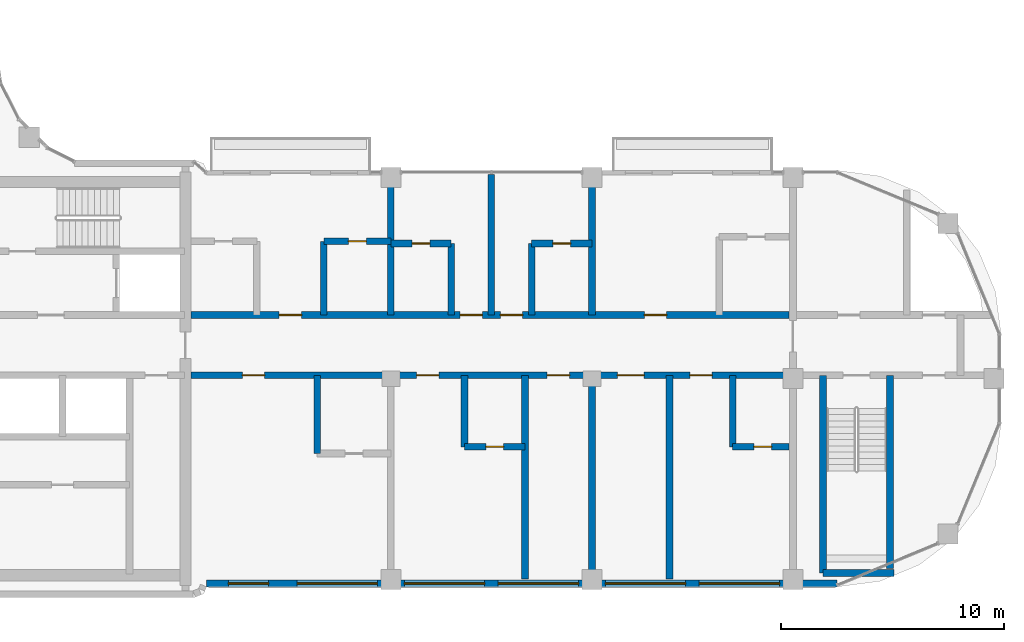
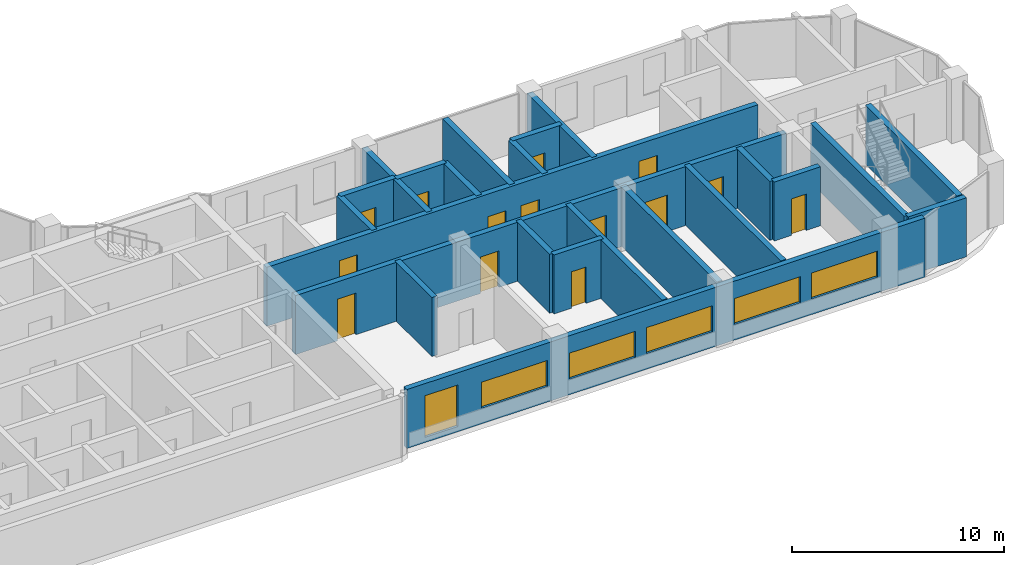
# One storey, part 12 of 19: 23 walls, 14 doors, 6 windows, 20 openings.
"""IFC4 building model written with IfcOpenShell, lengths in metres."""

from ifc_helpers import new_model, si_unit, direction, frame, frame_2d, origin, place, context, subcontext, project, spatial, rectangle, extrude, material, layer, layer_set, type_object, element, fill, save


model = new_model("IFC4")

# Units and contexts
model_context = context("Model", 3, precision=1e-05, world=origin(), true_north=direction((0.0, 1.0)))
body_context = subcontext(model_context, "Body", "Model", "MODEL_VIEW")
ifc_project = project(units=[si_unit("LENGTHUNIT", "METRE"), si_unit("AREAUNIT", "SQUARE_METRE"), si_unit("VOLUMEUNIT", "CUBIC_METRE"), si_unit("PLANEANGLEUNIT", "RADIAN"), si_unit("MASSUNIT", "GRAM", prefix="KILO")], contexts=[model_context])

# Site, building, storey
site_placement = place(None, origin())
site = spatial("IfcSite", under=ifc_project, at=site_placement, CompositionType="ELEMENT")
building_placement = place(site_placement, origin())
building = spatial("IfcBuilding", under=site, at=building_placement, Name="Ogive Portal Towers", CompositionType="ELEMENT")
storey_placement = place(building_placement, frame((0.0, 0.0, 218.0)))
storey = spatial("IfcBuildingStorey", under=building, at=storey_placement, Name="L54", CompositionType="ELEMENT", Elevation=218.0)

# Wall, openings, windows
ifc_material_1 = material(Name="Limestone cladding on lightweight block wall", Category="masonry")
ifc_layer_1 = layer(ifc_material_1, 0.300048828125)
ifc_layer_set_1 = layer_set([ifc_layer_1], Name="EXTERNAL WALL 300 STONE")
wall_type_1 = type_object("IfcWallType", Name="EXTERNAL WALL 300 STONE", PredefinedType="SOLIDWALL", material=ifc_layer_set_1)
wall_1_placement = place(storey_placement, frame((59.250244140625, 21.330078125, 0.0), z_axis=(0.0, 0.0, 1.0), x_axis=(1.0, 0.0, 0.0)))
wall_1 = element("IfcWall", 1, at=wall_1_placement, inside=storey, type_object=wall_type_1, Name="A:L54:f20:r0:wall", PredefinedType="SOLIDWALL", context=body_context, shape_type="SweptSolid", body=[
    extrude(rectangle(XDim=28.23388671875, YDim=0.300048828125, at=frame_2d((14.116943359375, 0.0))), origin(), (0.0, 0.0, 1.0), 3.39990234375),
])
opening_1_placement = place(wall_1_placement, frame((0.974853515625, 0.0, 0.300048828125)))
opening_1 = element("IfcOpeningElement", 2, at=opening_1_placement, cuts=wall_1, Name="Opening WN10", PredefinedType="OPENING", context=body_context, shape_type="SweptSolid", body=[
    extrude(rectangle(XDim=1.800048828125, YDim=2.39990234375, at=frame_2d((0.89990234375, 1.199951171875))), frame((0.0, 0.16015625, 0.0), z_axis=(0.0, -1.0, 0.0), x_axis=(1.0, 0.0, 0.0)), (0.0, 0.0, 1.0), 0.320068359375),
])
opening_2_placement = place(wall_1_placement, frame((4.0498046875, 0.0, 0.89990234375)))
opening_2 = element("IfcOpeningElement", 3, at=opening_2_placement, cuts=wall_1, Name="Opening WN12", PredefinedType="OPENING", context=body_context, shape_type="SweptSolid", body=[
    extrude(rectangle(XDim=3.60009765625, YDim=1.5, at=frame_2d((1.800048828125, 0.75))), frame((0.0, 0.16015625, 0.0), z_axis=(0.0, -1.0, 0.0), x_axis=(1.0, 0.0, 0.0)), (0.0, 0.0, 1.0), 0.320068359375),
])
opening_3_placement = place(wall_1_placement, frame((8.849609375, 0.0, 0.89990234375)))
opening_3 = element("IfcOpeningElement", 4, at=opening_3_placement, cuts=wall_1, Name="Opening WN12", PredefinedType="OPENING", context=body_context, shape_type="SweptSolid", body=[
    extrude(rectangle(XDim=3.60009765625, YDim=1.5, at=frame_2d((1.800048828125, 0.75))), frame((0.0, 0.16015625, 0.0), z_axis=(0.0, -1.0, 0.0), x_axis=(1.0, 0.0, 0.0)), (0.0, 0.0, 1.0), 0.320068359375),
])
opening_4_placement = place(wall_1_placement, frame((13.0498046875, 0.0, 0.89990234375)))
opening_4 = element("IfcOpeningElement", 5, at=opening_4_placement, cuts=wall_1, Name="Opening WN12", PredefinedType="OPENING", context=body_context, shape_type="SweptSolid", body=[
    extrude(rectangle(XDim=3.60009765625, YDim=1.5, at=frame_2d((1.800048828125, 0.75))), frame((0.0, 0.16015625, 0.0), z_axis=(0.0, -1.0, 0.0), x_axis=(1.0, 0.0, 0.0)), (0.0, 0.0, 1.0), 0.320068359375),
])
opening_5_placement = place(wall_1_placement, frame((17.849609375, 0.0, 0.89990234375)))
opening_5 = element("IfcOpeningElement", 6, at=opening_5_placement, cuts=wall_1, Name="Opening WN12", PredefinedType="OPENING", context=body_context, shape_type="SweptSolid", body=[
    extrude(rectangle(XDim=3.60009765625, YDim=1.5, at=frame_2d((1.800048828125, 0.75))), frame((0.0, 0.16015625, 0.0), z_axis=(0.0, -1.0, 0.0), x_axis=(1.0, 0.0, 0.0)), (0.0, 0.0, 1.0), 0.320068359375),
])
opening_6_placement = place(wall_1_placement, frame((22.0498046875, 0.0, 0.89990234375)))
opening_6 = element("IfcOpeningElement", 7, at=opening_6_placement, cuts=wall_1, Name="Opening WN12", PredefinedType="OPENING", context=body_context, shape_type="SweptSolid", body=[
    extrude(rectangle(XDim=3.60009765625, YDim=1.5, at=frame_2d((1.800048828125, 0.75))), frame((0.0, 0.16015625, 0.0), z_axis=(0.0, -1.0, 0.0), x_axis=(1.0, 0.0, 0.0)), (0.0, 0.0, 1.0), 0.320068359375),
])
ifc_material_2 = material(Name="Glass, clear low-iron insulated glazing", Category="glass")
window_type_1 = type_object("IfcWindowType", Name="WINDOW RIBBON 3600x1500", PartitioningType="TRIPLE_PANEL_VERTICAL", PredefinedType="WINDOW", material=ifc_material_2)
window_1_placement = place(opening_2_placement, origin())
window_1 = element("IfcWindow", 8, at=window_1_placement, inside=storey, type_object=window_type_1, Name="A:L54:f20:r0:w1", OverallHeight=1.5, OverallWidth=3.60009765625, PartitioningType="SINGLE_PANEL", PredefinedType="WINDOW", context=body_context, shape_type="SweptSolid", body=[
    extrude(rectangle(XDim=3.60009765625, YDim=1.5, at=frame_2d((1.800048828125, 0.75))), frame((0.0, 0.030029296875, 0.0), z_axis=(0.0, -1.0, 0.0), x_axis=(1.0, 0.0, 0.0)), (0.0, 0.0, 1.0), 0.06005859375),
])
fill(opening_2, window_1)
window_2_placement = place(opening_3_placement, origin())
window_2 = element("IfcWindow", 9, at=window_2_placement, inside=storey, type_object=window_type_1, Name="A:L54:f20:r0:w2", OverallHeight=1.5, OverallWidth=3.60009765625, PartitioningType="SINGLE_PANEL", PredefinedType="WINDOW", context=body_context, shape_type="SweptSolid", body=[
    extrude(rectangle(XDim=3.60009765625, YDim=1.5, at=frame_2d((1.800048828125, 0.75))), frame((0.0, 0.030029296875, 0.0), z_axis=(0.0, -1.0, 0.0), x_axis=(1.0, 0.0, 0.0)), (0.0, 0.0, 1.0), 0.06005859375),
])
fill(opening_3, window_2)
window_3_placement = place(opening_4_placement, origin())
window_3 = element("IfcWindow", 10, at=window_3_placement, inside=storey, type_object=window_type_1, Name="A:L54:f20:r0:w3", OverallHeight=1.5, OverallWidth=3.60009765625, PartitioningType="SINGLE_PANEL", PredefinedType="WINDOW", context=body_context, shape_type="SweptSolid", body=[
    extrude(rectangle(XDim=3.60009765625, YDim=1.5, at=frame_2d((1.800048828125, 0.75))), frame((0.0, 0.030029296875, 0.0), z_axis=(0.0, -1.0, 0.0), x_axis=(1.0, 0.0, 0.0)), (0.0, 0.0, 1.0), 0.06005859375),
])
fill(opening_4, window_3)
window_4_placement = place(opening_5_placement, origin())
window_4 = element("IfcWindow", 11, at=window_4_placement, inside=storey, type_object=window_type_1, Name="A:L54:f20:r0:w4", OverallHeight=1.5, OverallWidth=3.60009765625, PartitioningType="SINGLE_PANEL", PredefinedType="WINDOW", context=body_context, shape_type="SweptSolid", body=[
    extrude(rectangle(XDim=3.60009765625, YDim=1.5, at=frame_2d((1.800048828125, 0.75))), frame((0.0, 0.030029296875, 0.0), z_axis=(0.0, -1.0, 0.0), x_axis=(1.0, 0.0, 0.0)), (0.0, 0.0, 1.0), 0.06005859375),
])
fill(opening_5, window_4)
window_5_placement = place(opening_6_placement, origin())
window_5 = element("IfcWindow", 12, at=window_5_placement, inside=storey, type_object=window_type_1, Name="A:L54:f20:r0:w5", OverallHeight=1.5, OverallWidth=3.60009765625, PartitioningType="SINGLE_PANEL", PredefinedType="WINDOW", context=body_context, shape_type="SweptSolid", body=[
    extrude(rectangle(XDim=3.60009765625, YDim=1.5, at=frame_2d((1.800048828125, 0.75))), frame((0.0, 0.030029296875, 0.0), z_axis=(0.0, -1.0, 0.0), x_axis=(1.0, 0.0, 0.0)), (0.0, 0.0, 1.0), 0.06005859375),
])
fill(opening_6, window_5)
window_type_2 = type_object("IfcWindowType", Name="WINDOW SUITE CORNER 1800x2400", PartitioningType="DOUBLE_PANEL_VERTICAL", PredefinedType="WINDOW", material=ifc_material_2)
window_6_placement = place(opening_1_placement, origin())
window_6 = element("IfcWindow", 13, at=window_6_placement, inside=storey, type_object=window_type_2, Name="A:L54:f20:r0:w0", OverallHeight=2.39990234375, OverallWidth=1.800048828125, PartitioningType="SINGLE_PANEL", PredefinedType="WINDOW", context=body_context, shape_type="SweptSolid", body=[
    extrude(rectangle(XDim=1.800048828125, YDim=2.39990234375, at=frame_2d((0.89990234375, 1.199951171875))), frame((0.0, 0.030029296875, 0.0), z_axis=(0.0, -1.0, 0.0), x_axis=(1.0, 0.0, 0.0)), (0.0, 0.0, 1.0), 0.06005859375),
])
fill(opening_1, window_6)

# Walls
ifc_material_3 = material(Name="Concrete C50/60", Category="concrete")
ifc_layer_2 = layer(ifc_material_3, 0.300048828125)
ifc_layer_set_2 = layer_set([ifc_layer_2], Name="STAIR WALL 300 C50")
wall_type_2 = type_object("IfcWallType", Name="STAIR WALL 300 C50", PredefinedType="SHEAR", material=ifc_layer_set_2)
wall_2_placement = place(storey_placement, frame((86.85009765625, 21.800048828125, 0.0), z_axis=(0.0, 0.0, 1.0), x_axis=(1.0, 0.0, 0.0)))
element("IfcWall", 14, at=wall_2_placement, inside=storey, type_object=wall_type_2, Name="Stair wall ST-A4 L54", PredefinedType="SHEAR", context=body_context, shape_type="SweptSolid", body=[
    extrude(rectangle(XDim=3.16796875, YDim=0.300048828125, at=frame_2d((1.583984375, 0.0))), origin(), (0.0, 0.0, 1.0), 3.39990234375),
])
wall_3_placement = place(storey_placement, frame((86.85009765625, 21.800048828125, 0.0), z_axis=(0.0, 0.0, 1.0), x_axis=(0.0, 1.0, 0.0)))
element("IfcWall", 15, at=wall_3_placement, inside=storey, type_object=wall_type_2, Name="Stair wall ST-A4 L54", PredefinedType="SHEAR", context=body_context, shape_type="SweptSolid", body=[
    extrude(rectangle(XDim=8.849853515625, YDim=0.300048828125, at=frame_2d((4.4248046875, 0.0))), origin(), (0.0, 0.0, 1.0), 3.39990234375),
])
wall_4_placement = place(storey_placement, frame((89.85009765625, 21.9970703125, 0.0), z_axis=(0.0, 0.0, 1.0), x_axis=(0.0, 1.0, 0.0)))
element("IfcWall", 16, at=wall_4_placement, inside=storey, type_object=wall_type_2, Name="Stair wall ST-A4 L54", PredefinedType="SHEAR", context=body_context, shape_type="SweptSolid", body=[
    extrude(rectangle(XDim=8.65283203125, YDim=0.300048828125, at=frame_2d((4.326416015625, 0.0))), origin(), (0.0, 0.0, 1.0), 3.39990234375),
])

# Wall, openings, doors
ifc_material_4 = material(Name="Gypsum board partition on steel studs", Category="steel")
ifc_layer_3 = layer(ifc_material_4, 0.300048828125)
ifc_layer_set_3 = layer_set([ifc_layer_3], Name="WT-PART-300-EI 120")
wall_type_3 = type_object("IfcWallType", Name="WT-PART-300-EI 120", PredefinedType="PARTITIONING", material=ifc_layer_set_3)
wall_5_placement = place(storey_placement, frame((58.550048828125, 30.64990234375, 0.0), z_axis=(0.0, 0.0, 1.0), x_axis=(1.0, 0.0, 0.0)))
wall_5 = element("IfcWall", 17, at=wall_5_placement, inside=storey, type_object=wall_type_3, Name="Wall L54:w005", PredefinedType="PARTITIONING", context=body_context, shape_type="SweptSolid", body=[
    extrude(rectangle(XDim=26.780029296875, YDim=0.300048828125, at=frame_2d((13.39013671875, 0.0))), origin(), (0.0, 0.0, 1.0), 3.39990234375),
])
opening_7_placement = place(wall_5_placement, frame((2.300048828125, 0.0, 0.0)))
opening_7 = element("IfcOpeningElement", 18, at=opening_7_placement, cuts=wall_5, Name="Opening D24-029", PredefinedType="OPENING", context=body_context, shape_type="SweptSolid", body=[
    extrude(rectangle(XDim=1.0, YDim=2.39990234375, at=frame_2d((0.5, 1.199951171875))), frame((0.0, 0.16015625, 0.0), z_axis=(0.0, -1.0, 0.0), x_axis=(1.0, 0.0, 0.0)), (0.0, 0.0, 1.0), 0.320068359375),
])
opening_8_placement = place(wall_5_placement, frame((10.10009765625, 0.0, 0.0)))
opening_8 = element("IfcOpeningElement", 19, at=opening_8_placement, cuts=wall_5, Name="Opening D24-035", PredefinedType="OPENING", context=body_context, shape_type="SweptSolid", body=[
    extrude(rectangle(XDim=1.0, YDim=2.10009765625, at=frame_2d((0.5, 1.050048828125))), frame((0.0, 0.16015625, 0.0), z_axis=(0.0, -1.0, 0.0), x_axis=(1.0, 0.0, 0.0)), (0.0, 0.0, 1.0), 0.320068359375),
])
opening_9_placement = place(wall_5_placement, frame((15.949951171875, 0.0, 0.0)))
opening_9 = element("IfcOpeningElement", 20, at=opening_9_placement, cuts=wall_5, Name="Opening D24-036", PredefinedType="OPENING", context=body_context, shape_type="SweptSolid", body=[
    extrude(rectangle(XDim=1.0, YDim=2.10009765625, at=frame_2d((0.5, 1.050048828125))), frame((0.0, 0.16015625, 0.0), z_axis=(0.0, -1.0, 0.0), x_axis=(1.0, 0.0, 0.0)), (0.0, 0.0, 1.0), 0.320068359375),
])
opening_10_placement = place(wall_5_placement, frame((19.0849609375, 0.0, 0.0)))
opening_10 = element("IfcOpeningElement", 21, at=opening_10_placement, cuts=wall_5, Name="Opening D24-039", PredefinedType="OPENING", context=body_context, shape_type="SweptSolid", body=[
    extrude(rectangle(XDim=1.199951171875, YDim=2.10009765625, at=frame_2d((0.60009765625, 1.050048828125))), frame((0.0, 0.16015625, 0.0), z_axis=(0.0, -1.0, 0.0), x_axis=(1.0, 0.0, 0.0)), (0.0, 0.0, 1.0), 0.320068359375),
])
opening_11_placement = place(wall_5_placement, frame((22.3349609375, 0.0, 0.0)))
opening_11 = element("IfcOpeningElement", 22, at=opening_11_placement, cuts=wall_5, Name="Opening D24-041", PredefinedType="OPENING", context=body_context, shape_type="SweptSolid", body=[
    extrude(rectangle(XDim=1.0, YDim=2.10009765625, at=frame_2d((0.5, 1.050048828125))), frame((0.0, 0.16015625, 0.0), z_axis=(0.0, -1.0, 0.0), x_axis=(1.0, 0.0, 0.0)), (0.0, 0.0, 1.0), 0.320068359375),
])
ifc_material_5 = material(Name="Steel fire door", Category="steel")
door_type_1 = type_object("IfcDoorType", Name="DT-ENTRY-1000x2100-FD90S", OperationType="SINGLE_SWING_LEFT", PredefinedType="DOOR", material=ifc_material_5)
door_1_placement = place(opening_8_placement, origin())
door_1 = element("IfcDoor", 23, at=door_1_placement, inside=storey, type_object=door_type_1, Name="Door D24-035", OperationType="SINGLE_SWING_LEFT", OverallHeight=2.10009765625, OverallWidth=1.0, PredefinedType="DOOR", context=body_context, shape_type="SweptSolid", body=[
    extrude(rectangle(XDim=1.0, YDim=2.10009765625, at=frame_2d((0.5, 1.050048828125))), frame((0.0, 0.02490234375, 0.0), z_axis=(0.0, -1.0, 0.0), x_axis=(1.0, 0.0, 0.0)), (0.0, 0.0, 1.0), 0.050048828125),
])
fill(opening_8, door_1)
door_2_placement = place(opening_9_placement, origin())
door_2 = element("IfcDoor", 24, at=door_2_placement, inside=storey, type_object=door_type_1, Name="Door D24-036", OperationType="SINGLE_SWING_RIGHT", OverallHeight=2.10009765625, OverallWidth=1.0, PredefinedType="DOOR", context=body_context, shape_type="SweptSolid", body=[
    extrude(rectangle(XDim=1.0, YDim=2.10009765625, at=frame_2d((0.5, 1.050048828125))), frame((0.0, 0.02490234375, 0.0), z_axis=(0.0, -1.0, 0.0), x_axis=(1.0, 0.0, 0.0)), (0.0, 0.0, 1.0), 0.050048828125),
])
fill(opening_9, door_2)
door_3_placement = place(opening_11_placement, origin())
door_3 = element("IfcDoor", 25, at=door_3_placement, inside=storey, type_object=door_type_1, Name="Door D24-041", OperationType="SINGLE_SWING_LEFT", OverallHeight=2.10009765625, OverallWidth=1.0, PredefinedType="DOOR", context=body_context, shape_type="SweptSolid", body=[
    extrude(rectangle(XDim=1.0, YDim=2.10009765625, at=frame_2d((0.5, 1.050048828125))), frame((0.0, 0.02490234375, 0.0), z_axis=(0.0, -1.0, 0.0), x_axis=(1.0, 0.0, 0.0)), (0.0, 0.0, 1.0), 0.050048828125),
])
fill(opening_11, door_3)
door_type_2 = type_object("IfcDoorType", Name="DT-ENTRY-1000x2400-FD90S", OperationType="SINGLE_SWING_LEFT", PredefinedType="DOOR", material=ifc_material_5)
door_4_placement = place(opening_7_placement, origin())
door_4 = element("IfcDoor", 26, at=door_4_placement, inside=storey, type_object=door_type_2, Name="Door D24-029", OperationType="SINGLE_SWING_LEFT", OverallHeight=2.39990234375, OverallWidth=1.0, PredefinedType="DOOR", context=body_context, shape_type="SweptSolid", body=[
    extrude(rectangle(XDim=1.0, YDim=2.39990234375, at=frame_2d((0.5, 1.199951171875))), frame((0.0, 0.02490234375, 0.0), z_axis=(0.0, -1.0, 0.0), x_axis=(1.0, 0.0, 0.0)), (0.0, 0.0, 1.0), 0.050048828125),
])
fill(opening_7, door_4)
door_type_3 = type_object("IfcDoorType", Name="DT-ENTRY-1200x2100-FD90S", OperationType="SINGLE_SWING_LEFT", PredefinedType="DOOR", material=ifc_material_5)
door_5_placement = place(opening_10_placement, origin())
door_5 = element("IfcDoor", 27, at=door_5_placement, inside=storey, type_object=door_type_3, Name="Door D24-039", OperationType="SINGLE_SWING_RIGHT", OverallHeight=2.10009765625, OverallWidth=1.199951171875, PredefinedType="DOOR", context=body_context, shape_type="SweptSolid", body=[
    extrude(rectangle(XDim=1.199951171875, YDim=2.10009765625, at=frame_2d((0.60009765625, 1.050048828125))), frame((0.0, 0.02490234375, 0.0), z_axis=(0.0, -1.0, 0.0), x_axis=(1.0, 0.0, 0.0)), (0.0, 0.0, 1.0), 0.050048828125),
])
fill(opening_10, door_5)

wall_6_placement = place(storey_placement, frame((58.550048828125, 33.35009765625, 0.0), z_axis=(0.0, 0.0, 1.0), x_axis=(1.0, 0.0, 0.0)))
wall_6 = element("IfcWall", 28, at=wall_6_placement, inside=storey, type_object=wall_type_3, Name="Wall L54:w007", PredefinedType="PARTITIONING", context=body_context, shape_type="SweptSolid", body=[
    extrude(rectangle(XDim=26.780029296875, YDim=0.300048828125, at=frame_2d((13.39013671875, 0.0))), origin(), (0.0, 0.0, 1.0), 3.39990234375),
])
opening_12_placement = place(wall_6_placement, frame((3.949951171875, 0.0, 0.0)))
opening_12 = element("IfcOpeningElement", 29, at=opening_12_placement, cuts=wall_6, Name="Opening D24-027", PredefinedType="OPENING", context=body_context, shape_type="SweptSolid", body=[
    extrude(rectangle(XDim=1.0, YDim=2.39990234375, at=frame_2d((0.5, 1.199951171875))), frame((0.0, 0.16015625, 0.0), z_axis=(0.0, -1.0, 0.0), x_axis=(1.0, 0.0, 0.0)), (0.0, 0.0, 1.0), 0.320068359375),
])
opening_13_placement = place(wall_6_placement, frame((12.050048828125, 0.0, 0.0)))
opening_13 = element("IfcOpeningElement", 30, at=opening_13_placement, cuts=wall_6, Name="Opening D24-031", PredefinedType="OPENING", context=body_context, shape_type="SweptSolid", body=[
    extrude(rectangle(XDim=1.0, YDim=2.10009765625, at=frame_2d((0.5, 1.050048828125))), frame((0.0, 0.16015625, 0.0), z_axis=(0.0, -1.0, 0.0), x_axis=(1.0, 0.0, 0.0)), (0.0, 0.0, 1.0), 0.320068359375),
])
opening_14_placement = place(wall_6_placement, frame((13.85009765625, 0.0, 0.0)))
opening_14 = element("IfcOpeningElement", 31, at=opening_14_placement, cuts=wall_6, Name="Opening D24-033", PredefinedType="OPENING", context=body_context, shape_type="SweptSolid", body=[
    extrude(rectangle(XDim=1.0, YDim=2.10009765625, at=frame_2d((0.5, 1.050048828125))), frame((0.0, 0.16015625, 0.0), z_axis=(0.0, -1.0, 0.0), x_axis=(1.0, 0.0, 0.0)), (0.0, 0.0, 1.0), 0.320068359375),
])
opening_15_placement = place(wall_6_placement, frame((20.300048828125, 0.0, 0.0)))
opening_15 = element("IfcOpeningElement", 32, at=opening_15_placement, cuts=wall_6, Name="Opening D24-038", PredefinedType="OPENING", context=body_context, shape_type="SweptSolid", body=[
    extrude(rectangle(XDim=1.0, YDim=2.39990234375, at=frame_2d((0.5, 1.199951171875))), frame((0.0, 0.16015625, 0.0), z_axis=(0.0, -1.0, 0.0), x_axis=(1.0, 0.0, 0.0)), (0.0, 0.0, 1.0), 0.320068359375),
])
door_6_placement = place(opening_13_placement, origin())
door_6 = element("IfcDoor", 33, at=door_6_placement, inside=storey, type_object=door_type_1, Name="Door D24-031", OperationType="SINGLE_SWING_RIGHT", OverallHeight=2.10009765625, OverallWidth=1.0, PredefinedType="DOOR", context=body_context, shape_type="SweptSolid", body=[
    extrude(rectangle(XDim=1.0, YDim=2.10009765625, at=frame_2d((0.5, 1.050048828125))), frame((0.0, 0.02490234375, 0.0), z_axis=(0.0, -1.0, 0.0), x_axis=(1.0, 0.0, 0.0)), (0.0, 0.0, 1.0), 0.050048828125),
])
fill(opening_13, door_6)
door_7_placement = place(opening_14_placement, origin())
door_7 = element("IfcDoor", 34, at=door_7_placement, inside=storey, type_object=door_type_1, Name="Door D24-033", OperationType="SINGLE_SWING_LEFT", OverallHeight=2.10009765625, OverallWidth=1.0, PredefinedType="DOOR", context=body_context, shape_type="SweptSolid", body=[
    extrude(rectangle(XDim=1.0, YDim=2.10009765625, at=frame_2d((0.5, 1.050048828125))), frame((0.0, 0.02490234375, 0.0), z_axis=(0.0, -1.0, 0.0), x_axis=(1.0, 0.0, 0.0)), (0.0, 0.0, 1.0), 0.050048828125),
])
fill(opening_14, door_7)
door_8_placement = place(opening_12_placement, origin())
door_8 = element("IfcDoor", 35, at=door_8_placement, inside=storey, type_object=door_type_2, Name="Door D24-027", OperationType="SINGLE_SWING_LEFT", OverallHeight=2.39990234375, OverallWidth=1.0, PredefinedType="DOOR", context=body_context, shape_type="SweptSolid", body=[
    extrude(rectangle(XDim=1.0, YDim=2.39990234375, at=frame_2d((0.5, 1.199951171875))), frame((0.0, 0.02490234375, 0.0), z_axis=(0.0, -1.0, 0.0), x_axis=(1.0, 0.0, 0.0)), (0.0, 0.0, 1.0), 0.050048828125),
])
fill(opening_12, door_8)
door_9_placement = place(opening_15_placement, origin())
door_9 = element("IfcDoor", 36, at=door_9_placement, inside=storey, type_object=door_type_2, Name="Door D24-038", OperationType="SINGLE_SWING_LEFT", OverallHeight=2.39990234375, OverallWidth=1.0, PredefinedType="DOOR", context=body_context, shape_type="SweptSolid", body=[
    extrude(rectangle(XDim=1.0, YDim=2.39990234375, at=frame_2d((0.5, 1.199951171875))), frame((0.0, 0.02490234375, 0.0), z_axis=(0.0, -1.0, 0.0), x_axis=(1.0, 0.0, 0.0)), (0.0, 0.0, 1.0), 0.050048828125),
])
fill(opening_15, door_9)

# Wall, opening, door
ifc_layer_4 = layer(ifc_material_4, 0.300048828125)
ifc_layer_set_4 = layer_set([ifc_layer_4], Name="WT-PART-300-EI 60")
wall_type_4 = type_object("IfcWallType", Name="WT-PART-300-EI 60", PredefinedType="PARTITIONING", material=ifc_layer_set_4)
wall_7_placement = place(storey_placement, frame((70.800048828125, 27.449951171875, 0.0), z_axis=(0.0, 0.0, 1.0), x_axis=(1.0, 0.0, 0.0)))
wall_7 = element("IfcWall", 37, at=wall_7_placement, inside=storey, type_object=wall_type_4, Name="Wall L54:w003", PredefinedType="PARTITIONING", context=body_context, shape_type="SweptSolid", body=[
    extrude(rectangle(XDim=2.699951171875, YDim=0.300048828125, at=frame_2d((1.35009765625, 0.0))), origin(), (0.0, 0.0, 1.0), 3.39990234375),
])
opening_16_placement = place(wall_7_placement, frame((0.949951171875, 0.0, 0.0)))
opening_16 = element("IfcOpeningElement", 38, at=opening_16_placement, cuts=wall_7, Name="Opening D24-034", PredefinedType="OPENING", context=body_context, shape_type="SweptSolid", body=[
    extrude(rectangle(XDim=0.800048828125, YDim=2.10009765625, at=frame_2d((0.39990234375, 1.050048828125))), frame((0.0, 0.16015625, 0.0), z_axis=(0.0, -1.0, 0.0), x_axis=(1.0, 0.0, 0.0)), (0.0, 0.0, 1.0), 0.320068359375),
])
door_type_4 = type_object("IfcDoorType", Name="DT-BATH-800x2100-FD60S", OperationType="SINGLE_SWING_LEFT", PredefinedType="DOOR", material=ifc_material_5)
door_10_placement = place(opening_16_placement, origin())
door_10 = element("IfcDoor", 39, at=door_10_placement, inside=storey, type_object=door_type_4, Name="Door D24-034", OperationType="SINGLE_SWING_LEFT", OverallHeight=2.10009765625, OverallWidth=0.800048828125, PredefinedType="DOOR", context=body_context, shape_type="SweptSolid", body=[
    extrude(rectangle(XDim=0.800048828125, YDim=2.10009765625, at=frame_2d((0.39990234375, 1.050048828125))), frame((0.0, 0.02490234375, 0.0), z_axis=(0.0, -1.0, 0.0), x_axis=(1.0, 0.0, 0.0)), (0.0, 0.0, 1.0), 0.050048828125),
])
fill(opening_16, door_10)

wall_8_placement = place(storey_placement, frame((82.800048828125, 27.449951171875, 0.0), z_axis=(0.0, 0.0, 1.0), x_axis=(1.0, 0.0, 0.0)))
wall_8 = element("IfcWall", 40, at=wall_8_placement, inside=storey, type_object=wall_type_4, Name="Wall L54:w004", PredefinedType="PARTITIONING", context=body_context, shape_type="SweptSolid", body=[
    extrude(rectangle(XDim=2.530029296875, YDim=0.300048828125, at=frame_2d((1.26513671875, 0.0))), origin(), (0.0, 0.0, 1.0), 3.39990234375),
])
opening_17_placement = place(wall_8_placement, frame((0.949951171875, 0.0, 0.0)))
opening_17 = element("IfcOpeningElement", 41, at=opening_17_placement, cuts=wall_8, Name="Opening D24-040", PredefinedType="OPENING", context=body_context, shape_type="SweptSolid", body=[
    extrude(rectangle(XDim=0.800048828125, YDim=2.10009765625, at=frame_2d((0.39990234375, 1.050048828125))), frame((0.0, 0.16015625, 0.0), z_axis=(0.0, -1.0, 0.0), x_axis=(1.0, 0.0, 0.0)), (0.0, 0.0, 1.0), 0.320068359375),
])
door_11_placement = place(opening_17_placement, origin())
door_11 = element("IfcDoor", 42, at=door_11_placement, inside=storey, type_object=door_type_4, Name="Door D24-040", OperationType="SINGLE_SWING_LEFT", OverallHeight=2.10009765625, OverallWidth=0.800048828125, PredefinedType="DOOR", context=body_context, shape_type="SweptSolid", body=[
    extrude(rectangle(XDim=0.800048828125, YDim=2.10009765625, at=frame_2d((0.39990234375, 1.050048828125))), frame((0.0, 0.02490234375, 0.0), z_axis=(0.0, -1.0, 0.0), x_axis=(1.0, 0.0, 0.0)), (0.0, 0.0, 1.0), 0.050048828125),
])
fill(opening_17, door_11)

wall_9_placement = place(storey_placement, frame((67.5, 36.550048828125, 0.0), z_axis=(0.0, 0.0, 1.0), x_axis=(1.0, 0.0, 0.0)))
wall_9 = element("IfcWall", 43, at=wall_9_placement, inside=storey, type_object=wall_type_4, Name="Wall L54:w009", PredefinedType="PARTITIONING", context=body_context, shape_type="SweptSolid", body=[
    extrude(rectangle(XDim=2.699951171875, YDim=0.300048828125, at=frame_2d((1.35009765625, 0.0))), origin(), (0.0, 0.0, 1.0), 3.39990234375),
])
opening_18_placement = place(wall_9_placement, frame((0.949951171875, 0.0, 0.0)))
opening_18 = element("IfcOpeningElement", 44, at=opening_18_placement, cuts=wall_9, Name="Opening D24-030", PredefinedType="OPENING", context=body_context, shape_type="SweptSolid", body=[
    extrude(rectangle(XDim=0.800048828125, YDim=2.10009765625, at=frame_2d((0.39990234375, 1.050048828125))), frame((0.0, 0.16015625, 0.0), z_axis=(0.0, -1.0, 0.0), x_axis=(1.0, 0.0, 0.0)), (0.0, 0.0, 1.0), 0.320068359375),
])
door_12_placement = place(opening_18_placement, origin())
door_12 = element("IfcDoor", 45, at=door_12_placement, inside=storey, type_object=door_type_4, Name="Door D24-030", OperationType="SINGLE_SWING_LEFT", OverallHeight=2.10009765625, OverallWidth=0.800048828125, PredefinedType="DOOR", context=body_context, shape_type="SweptSolid", body=[
    extrude(rectangle(XDim=0.800048828125, YDim=2.10009765625, at=frame_2d((0.39990234375, 1.050048828125))), frame((0.0, 0.02490234375, 0.0), z_axis=(0.0, -1.0, 0.0), x_axis=(1.0, 0.0, 0.0)), (0.0, 0.0, 1.0), 0.050048828125),
])
fill(opening_18, door_12)

wall_10_placement = place(storey_placement, frame((73.800048828125, 36.550048828125, 0.0), z_axis=(0.0, 0.0, 1.0), x_axis=(1.0, 0.0, 0.0)))
wall_10 = element("IfcWall", 46, at=wall_10_placement, inside=storey, type_object=wall_type_4, Name="Wall L54:w010", PredefinedType="PARTITIONING", context=body_context, shape_type="SweptSolid", body=[
    extrude(rectangle(XDim=2.699951171875, YDim=0.300048828125, at=frame_2d((1.35009765625, 0.0))), origin(), (0.0, 0.0, 1.0), 3.39990234375),
])
opening_19_placement = place(wall_10_placement, frame((0.949951171875, 0.0, 0.0)))
opening_19 = element("IfcOpeningElement", 47, at=opening_19_placement, cuts=wall_10, Name="Opening D24-032", PredefinedType="OPENING", context=body_context, shape_type="SweptSolid", body=[
    extrude(rectangle(XDim=0.800048828125, YDim=2.10009765625, at=frame_2d((0.39990234375, 1.050048828125))), frame((0.0, 0.16015625, 0.0), z_axis=(0.0, -1.0, 0.0), x_axis=(1.0, 0.0, 0.0)), (0.0, 0.0, 1.0), 0.320068359375),
])
door_13_placement = place(opening_19_placement, origin())
door_13 = element("IfcDoor", 48, at=door_13_placement, inside=storey, type_object=door_type_4, Name="Door D24-032", OperationType="SINGLE_SWING_RIGHT", OverallHeight=2.10009765625, OverallWidth=0.800048828125, PredefinedType="DOOR", context=body_context, shape_type="SweptSolid", body=[
    extrude(rectangle(XDim=0.800048828125, YDim=2.10009765625, at=frame_2d((0.39990234375, 1.050048828125))), frame((0.0, 0.02490234375, 0.0), z_axis=(0.0, -1.0, 0.0), x_axis=(1.0, 0.0, 0.0)), (0.0, 0.0, 1.0), 0.050048828125),
])
fill(opening_19, door_13)

wall_11_placement = place(storey_placement, frame((64.5, 36.64990234375, 0.0), z_axis=(0.0, 0.0, 1.0), x_axis=(1.0, 0.0, 0.0)))
wall_11 = element("IfcWall", 49, at=wall_11_placement, inside=storey, type_object=wall_type_4, Name="Wall L54:w012", PredefinedType="PARTITIONING", context=body_context, shape_type="SweptSolid", body=[
    extrude(rectangle(XDim=3.0, YDim=0.300048828125, at=frame_2d((1.5, 0.0))), origin(), (0.0, 0.0, 1.0), 3.39990234375),
])
opening_20_placement = place(wall_11_placement, frame((1.10009765625, 0.0, 0.0)))
opening_20 = element("IfcOpeningElement", 50, at=opening_20_placement, cuts=wall_11, Name="Opening D24-026", PredefinedType="OPENING", context=body_context, shape_type="SweptSolid", body=[
    extrude(rectangle(XDim=0.800048828125, YDim=2.10009765625, at=frame_2d((0.39990234375, 1.050048828125))), frame((0.0, 0.16015625, 0.0), z_axis=(0.0, -1.0, 0.0), x_axis=(1.0, 0.0, 0.0)), (0.0, 0.0, 1.0), 0.320068359375),
])
door_14_placement = place(opening_20_placement, origin())
door_14 = element("IfcDoor", 51, at=door_14_placement, inside=storey, type_object=door_type_4, Name="Door D24-026", OperationType="SINGLE_SWING_RIGHT", OverallHeight=2.10009765625, OverallWidth=0.800048828125, PredefinedType="DOOR", context=body_context, shape_type="SweptSolid", body=[
    extrude(rectangle(XDim=0.800048828125, YDim=2.10009765625, at=frame_2d((0.39990234375, 1.050048828125))), frame((0.0, 0.02490234375, 0.0), z_axis=(0.0, -1.0, 0.0), x_axis=(1.0, 0.0, 0.0)), (0.0, 0.0, 1.0), 0.050048828125),
])
fill(opening_20, door_14)

# Walls
wall_12_placement = place(storey_placement, frame((64.199951171875, 27.14990234375, 0.0), z_axis=(0.0, 0.0, 1.0), x_axis=(0.0, 1.0, 0.0)))
element("IfcWall", 52, at=wall_12_placement, inside=storey, type_object=wall_type_4, Name="Wall L54:w029", PredefinedType="PARTITIONING", context=body_context, shape_type="SweptSolid", body=[
    extrude(rectangle(XDim=3.5, YDim=0.300048828125, at=frame_2d((1.75, 0.0))), origin(), (0.0, 0.0, 1.0), 3.39990234375),
])
wall_13_placement = place(storey_placement, frame((64.5, 33.35009765625, 0.0), z_axis=(0.0, 0.0, 1.0), x_axis=(0.0, 1.0, 0.0)))
element("IfcWall", 53, at=wall_13_placement, inside=storey, type_object=wall_type_4, Name="Wall L54:w030", PredefinedType="PARTITIONING", context=body_context, shape_type="SweptSolid", body=[
    extrude(rectangle(XDim=3.2998046875, YDim=0.300048828125, at=frame_2d((1.64990234375, 0.0))), origin(), (0.0, 0.0, 1.0), 3.39990234375),
])
wall_14_placement = place(storey_placement, frame((67.5, 33.35009765625, 0.0), z_axis=(0.0, 0.0, 1.0), x_axis=(0.0, 1.0, 0.0)))
element("IfcWall", 54, at=wall_14_placement, inside=storey, type_object=wall_type_4, Name="Wall L54:w032", PredefinedType="PARTITIONING", context=body_context, shape_type="SweptSolid", body=[
    extrude(rectangle(XDim=6.119873046875, YDim=0.300048828125, at=frame_2d((3.06005859375, 0.0))), origin(), (0.0, 0.0, 1.0), 3.39990234375),
])
for number, where, z_axis, x_axis, name in (
    (55, (70.199951171875, 33.35009765625, 0.0), (0.0, 0.0, 1.0), (0.0, 1.0, 0.0), "Wall L54:w033"),
    (56, (70.800048828125, 27.449951171875, 0.0), (0.0, 0.0, 1.0), (0.0, 1.0, 0.0), "Wall L54:w034"),
):
    element("IfcWall", number, at=place(storey_placement, frame(where, z_axis=z_axis, x_axis=x_axis)), inside=storey, type_object=wall_type_4, Name=name, PredefinedType="PARTITIONING", context=body_context, shape_type="SweptSolid", body=[
        extrude(rectangle(XDim=3.199951171875, YDim=0.300048828125, at=frame_2d((1.60009765625, 0.0))), origin(), (0.0, 0.0, 1.0), 3.39990234375),
    ])
wall_15_placement = place(storey_placement, frame((72.0, 33.35009765625, 0.0), z_axis=(0.0, 0.0, 1.0), x_axis=(0.0, 1.0, 0.0)))
element("IfcWall", 57, at=wall_15_placement, inside=storey, type_object=wall_type_4, Name="Wall L54:w035", PredefinedType="PARTITIONING", context=body_context, shape_type="SweptSolid", body=[
    extrude(rectangle(XDim=6.2998046875, YDim=0.300048828125, at=frame_2d((3.14990234375, 0.0))), origin(), (0.0, 0.0, 1.0), 3.39990234375),
])
wall_16_placement = place(storey_placement, frame((73.5, 21.530029296875, 0.0), z_axis=(0.0, 0.0, 1.0), x_axis=(0.0, 1.0, 0.0)))
element("IfcWall", 58, at=wall_16_placement, inside=storey, type_object=wall_type_4, Name="Wall L54:w036", PredefinedType="PARTITIONING", context=body_context, shape_type="SweptSolid", body=[
    extrude(rectangle(XDim=9.119873046875, YDim=0.300048828125, at=frame_2d((4.56005859375, 0.0))), origin(), (0.0, 0.0, 1.0), 3.39990234375),
])
wall_17_placement = place(storey_placement, frame((73.800048828125, 33.35009765625, 0.0), z_axis=(0.0, 0.0, 1.0), x_axis=(0.0, 1.0, 0.0)))
element("IfcWall", 59, at=wall_17_placement, inside=storey, type_object=wall_type_4, Name="Wall L54:w037", PredefinedType="PARTITIONING", context=body_context, shape_type="SweptSolid", body=[
    extrude(rectangle(XDim=3.199951171875, YDim=0.300048828125, at=frame_2d((1.60009765625, 0.0))), origin(), (0.0, 0.0, 1.0), 3.39990234375),
])
wall_18_placement = place(storey_placement, frame((76.5, 21.530029296875, 0.0), z_axis=(0.0, 0.0, 1.0), x_axis=(0.0, 1.0, 0.0)))
element("IfcWall", 60, at=wall_18_placement, inside=storey, type_object=wall_type_4, Name="Wall L54:w038", PredefinedType="PARTITIONING", context=body_context, shape_type="SweptSolid", body=[
    extrude(rectangle(XDim=9.119873046875, YDim=0.300048828125, at=frame_2d((4.56005859375, 0.0))), origin(), (0.0, 0.0, 1.0), 3.39990234375),
])
wall_19_placement = place(storey_placement, frame((76.5, 33.35009765625, 0.0), z_axis=(0.0, 0.0, 1.0), x_axis=(0.0, 1.0, 0.0)))
element("IfcWall", 61, at=wall_19_placement, inside=storey, type_object=wall_type_4, Name="Wall L54:w039", PredefinedType="PARTITIONING", context=body_context, shape_type="SweptSolid", body=[
    extrude(rectangle(XDim=6.119873046875, YDim=0.300048828125, at=frame_2d((3.06005859375, 0.0))), origin(), (0.0, 0.0, 1.0), 3.39990234375),
])
wall_20_placement = place(storey_placement, frame((79.969970703125, 21.530029296875, 0.0), z_axis=(0.0, 0.0, 1.0), x_axis=(0.0, 1.0, 0.0)))
element("IfcWall", 62, at=wall_20_placement, inside=storey, type_object=wall_type_4, Name="Wall L54:w040", PredefinedType="PARTITIONING", context=body_context, shape_type="SweptSolid", body=[
    extrude(rectangle(XDim=9.119873046875, YDim=0.300048828125, at=frame_2d((4.56005859375, 0.0))), origin(), (0.0, 0.0, 1.0), 3.39990234375),
])
wall_21_placement = place(storey_placement, frame((82.800048828125, 27.449951171875, 0.0), z_axis=(0.0, 0.0, 1.0), x_axis=(0.0, 1.0, 0.0)))
element("IfcWall", 63, at=wall_21_placement, inside=storey, type_object=wall_type_4, Name="Wall L54:w042", PredefinedType="PARTITIONING", context=body_context, shape_type="SweptSolid", body=[
    extrude(rectangle(XDim=3.199951171875, YDim=0.300048828125, at=frame_2d((1.60009765625, 0.0))), origin(), (0.0, 0.0, 1.0), 3.39990234375),
])

save(model, "model.ifc")
